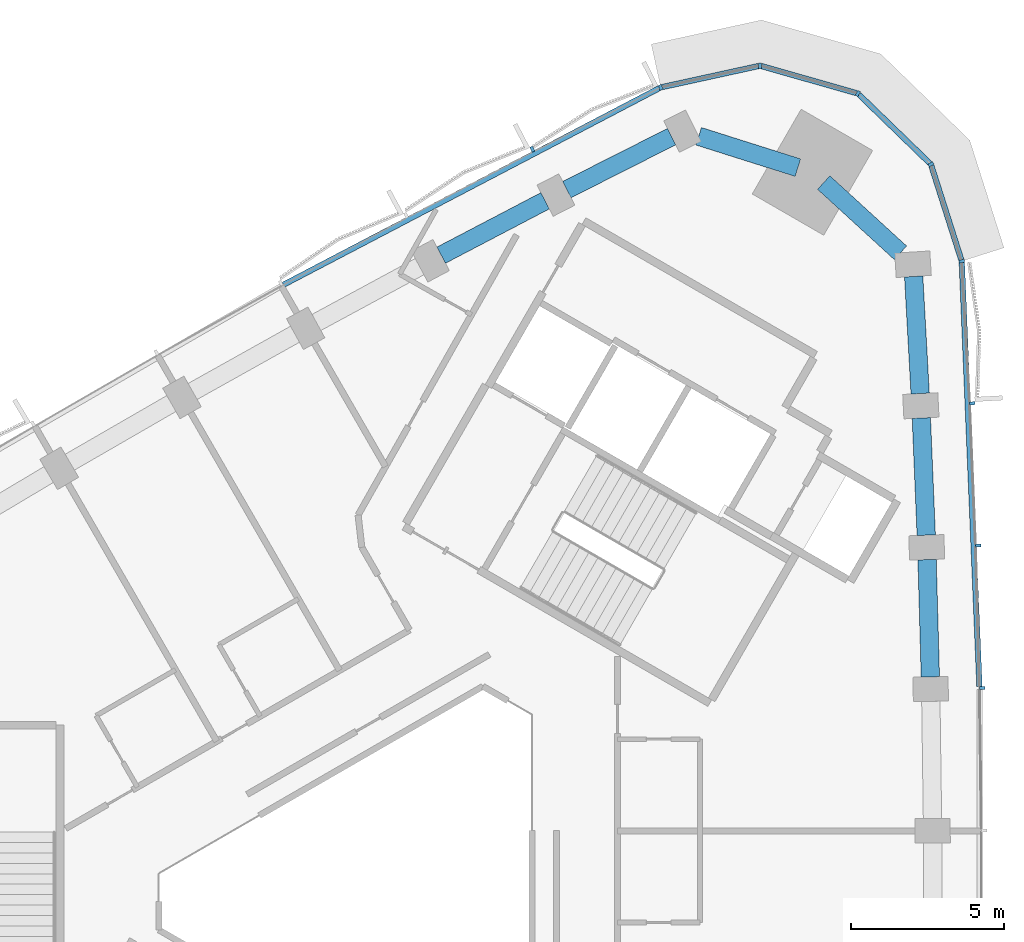
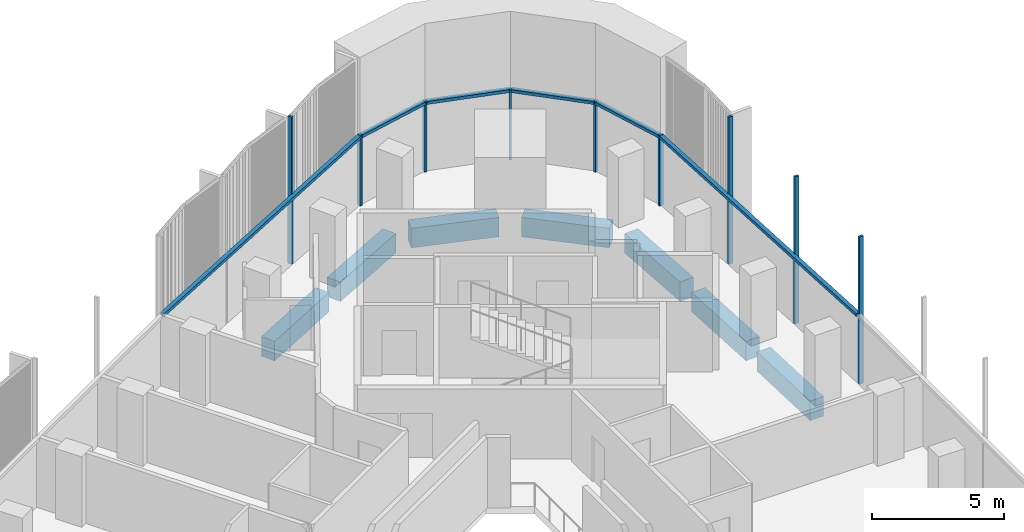
# One storey, part 5 of 13: 15 members, 7 beams, 2 elements without a shape of their own.
"""IFC4 building model written with IfcOpenShell, lengths in metres."""

import ifcopenshell
import ifcopenshell.guid

model = None  # the IFC model being written
_history = None  # IfcOwnerHistory: only IFC2X3 demands one
_inside = {}  # id of a spatial element -> (the spatial element, [elements in it])
_under = {}  # id of a project, library or spatial element -> (it, [spatial elements below it])
_declared = {}  # id of a project -> (the project, [libraries it declares])
_typed = {}  # id of a type object -> (the type object, [elements of that type])
_made_of = {}  # id of a material, layer set ... -> (it, [elements and type objects made of it])


def new_model(schema):
    """Start an empty IFC model of exactly this schema.

    Asked for "IFC4X3", IfcOpenShell would pick the latest addendum, in which some entities
    have other attributes; the version numbers below select the first issue.
    IFC2X3 requires an IfcOwnerHistory on every rooted entity: one is made here for all.
    """
    global model, _history
    if schema == "IFC4X3":
        model = ifcopenshell.file(schema_version=(4, 3, 0, 0))
    else:
        model = ifcopenshell.file(schema=schema)
    _inside.clear()
    _under.clear()
    _declared.clear()
    _typed.clear()
    _made_of.clear()
    _history = None
    if model.schema == "IFC2X3":
        org = make("IfcOrganization", Name="unknown")
        user = make(
            "IfcPersonAndOrganization",
            ThePerson=make("IfcPerson", FamilyName="unknown"),
            TheOrganization=org,
        )
        app = make(
            "IfcApplication",
            ApplicationDeveloper=org,
            Version="unknown",
            ApplicationFullName="unknown",
            ApplicationIdentifier="unknown",
        )
        _history = make(
            "IfcOwnerHistory",
            OwningUser=user,
            OwningApplication=app,
            ChangeAction="ADDED",
            CreationDate=0,
        )
    return model


def make(cls, **values):
    """One entity of the class cls with the attributes given. An attribute that is None is left unset."""
    return model.create_entity(
        cls, **{name: value for name, value in values.items() if value is not None}
    )


def rooted(cls, **values):
    """An entity with a GlobalId (a new one), such as an element, a storey or a relation."""
    return make(cls, GlobalId=ifcopenshell.guid.new(), OwnerHistory=_history, **values)


def si_unit(unit_type, name, prefix=None):
    """IfcSIUnit, for example si_unit("LENGTHUNIT", "METRE", prefix="MILLI")."""
    return make("IfcSIUnit", UnitType=unit_type, Prefix=prefix, Name=name)


def assignment(units):
    """IfcUnitAssignment: the units of a project."""
    return None if units is None else make("IfcUnitAssignment", Units=units)


def point(xyz):
    """IfcCartesianPoint."""
    return None if xyz is None else make("IfcCartesianPoint", Coordinates=xyz)


def direction(xyz):
    """IfcDirection."""
    return None if xyz is None else make("IfcDirection", DirectionRatios=xyz)


def frame(location, z_axis=None, x_axis=None):
    """IfcAxis2Placement3D, a coordinate frame: its origin and axes. An axis left out is left unset."""
    return make(
        "IfcAxis2Placement3D",
        Location=point(location),
        Axis=direction(z_axis),
        RefDirection=direction(x_axis),
    )


def frame_2d(location, x_axis=None):
    """IfcAxis2Placement2D, a coordinate frame in the plane: its origin and x axis."""
    return make(
        "IfcAxis2Placement2D", Location=point(location), RefDirection=direction(x_axis)
    )


def origin():
    """The frame at (0, 0, 0) with its axes left unset."""
    return frame((0.0, 0.0, 0.0))


def origin_2d():
    """The frame at (0, 0) in the plane with its x axis left unset."""
    return frame_2d((0.0, 0.0))


def place(relative_to, where):
    """IfcLocalPlacement: puts the frame where relative to a parent placement (None: the world)."""
    return make(
        "IfcLocalPlacement", PlacementRelTo=relative_to, RelativePlacement=where
    )


def context(
    kind, dimensions, precision=None, world=None, true_north=None, identifier=None
):
    """IfcGeometricRepresentationContext, for example the 3D "Model" context."""
    return make(
        "IfcGeometricRepresentationContext",
        ContextIdentifier=identifier,
        ContextType=kind,
        CoordinateSpaceDimension=dimensions,
        Precision=precision,
        WorldCoordinateSystem=world,
        TrueNorth=true_north,
    )


def subcontext(parent, identifier, kind, view, scale=None):
    """IfcGeometricRepresentationSubContext, for example "Body" below "Model"."""
    return make(
        "IfcGeometricRepresentationSubContext",
        ContextIdentifier=identifier,
        ContextType=kind,
        ParentContext=parent,
        TargetScale=scale,
        TargetView=view,
    )


def project(units=None, contexts=None):
    """IfcProject with its units and contexts."""
    return rooted(
        "IfcProject",
        Name="project",
        RepresentationContexts=contexts,
        UnitsInContext=assignment(units),
    )


def spatial(cls, under=None, at=None, **own):
    """A site, building, storey or space (cls), placed at a placement, below another one or the project."""
    s = rooted(cls, ObjectPlacement=at, **own)
    if under is not None:
        _under.setdefault(under.id(), (under, []))[1].append(s)
    return s


def profile(cls, at=None, kind="AREA", **sizes):
    """A parametric profile (cls). Its sizes go by their IFC names, for example OverallWidth=200.0."""
    return make(cls, ProfileType=kind, Position=at, **sizes)


def rectangle(**sizes):
    """IfcRectangleProfileDef."""
    return profile("IfcRectangleProfileDef", **sizes)


def extrude(swept, where, along, depth):
    """IfcExtrudedAreaSolid: the profile swept, set in the frame where, extruded along a direction by depth."""
    return make(
        "IfcExtrudedAreaSolid",
        SweptArea=swept,
        Position=where,
        ExtrudedDirection=direction(along),
        Depth=depth,
    )


def shape(context_of_items, identifier, shape_type, items):
    """IfcShapeRepresentation: the items that make up one representation, for example the "Body"."""
    return make(
        "IfcShapeRepresentation",
        ContextOfItems=context_of_items,
        RepresentationIdentifier=identifier,
        RepresentationType=shape_type,
        Items=items,
    )


def material(Name=None, Category=None):
    """IfcMaterial."""
    return make("IfcMaterial", Name=Name, Category=Category)


def material_profile(
    of_material, cross_section, Name=None, Category=None, Priority=None
):
    """IfcMaterialProfile: a cross section and its material."""
    return make(
        "IfcMaterialProfile",
        Name=Name,
        Material=of_material,
        Profile=cross_section,
        Priority=Priority,
        Category=Category,
    )


def profile_set(profiles, Name=None, composite=None):
    """IfcMaterialProfileSet."""
    return make(
        "IfcMaterialProfileSet",
        Name=Name,
        MaterialProfiles=profiles,
        CompositeProfile=composite,
    )


def made_of(thing, what):
    """Note that an element or type object is made of a material, layer set ...; save() writes the relation."""
    if what is not None:
        _made_of.setdefault(what.id(), (what, []))[1].append(thing)
    return thing


def type_object(cls, material=None, **own):
    """A type object (cls), such as IfcWallType, which elements share."""
    return made_of(rooted(cls, **own), material)


def element(
    cls,
    number,
    at=None,
    inside=None,
    cuts=None,
    type_object=None,
    material=None,
    context=None,
    identifier="Body",
    shape_type=None,
    held_by="IfcProductDefinitionShape",
    body=None,
    shapes=None,
    **own,
):
    """One element of the class cls, such as IfcWall. Its Tag is "e" and its number.

    at: its placement. inside: the storey or other place that contains it. cuts: it is an
    opening in that element (IfcRelVoidsElement). A single representation is given by context,
    identifier, shape_type and body (its items); several are given by shapes. held_by: the class
    of the entity that holds the representations. save() writes the other relations.
    """
    e = rooted(cls, Tag="e%d" % number, ObjectPlacement=at, **own)
    if body is not None:
        shapes = [shape(context, identifier, shape_type, body)]
    if shapes is not None:
        e.Representation = make(held_by, Representations=shapes)
    if inside is not None:
        _inside.setdefault(inside.id(), (inside, []))[1].append(e)
    if cuts is not None:
        rooted(
            "IfcRelVoidsElement", RelatingBuildingElement=cuts, RelatedOpeningElement=e
        )
    if type_object is not None:
        _typed.setdefault(type_object.id(), (type_object, []))[1].append(e)
    return made_of(e, material)


def aggregate(whole, parts):
    """IfcRelAggregates: a whole, such as a stair, and the parts it consists of."""
    return rooted("IfcRelAggregates", RelatingObject=whole, RelatedObjects=parts)


def save(model, path):
    """Write the relations noted so far, then the file.

    IfcRelAggregates (storeys below a building ...), IfcRelContainedInSpatialStructure (elements
    in a storey), IfcRelDefinesByType, IfcRelAssociatesMaterial and IfcRelDeclares: one each for
    every whole, place, type object, material and project.
    """
    for whole, parts in _under.values():
        aggregate(whole, parts)
    for where, things in _inside.values():
        rooted(
            "IfcRelContainedInSpatialStructure",
            RelatedElements=things,
            RelatingStructure=where,
        )
    for kind, things in _typed.values():
        rooted("IfcRelDefinesByType", RelatedObjects=things, RelatingType=kind)
    for what, things in _made_of.values():
        rooted("IfcRelAssociatesMaterial", RelatedObjects=things, RelatingMaterial=what)
    for by, libraries in _declared.values():
        rooted("IfcRelDeclares", RelatingContext=by, RelatedDefinitions=libraries)
    model.write(path)


model = new_model("IFC4")

# Units and contexts
model_context = context("Model", 3, precision=1e-05, world=origin(), true_north=direction((0.0, 1.0)))
body_context = subcontext(model_context, "Body", "Model", "MODEL_VIEW")
ifc_project = project(units=[si_unit("LENGTHUNIT", "METRE"), si_unit("AREAUNIT", "SQUARE_METRE"), si_unit("VOLUMEUNIT", "CUBIC_METRE"), si_unit("PLANEANGLEUNIT", "RADIAN"), si_unit("MASSUNIT", "GRAM", prefix="KILO")], contexts=[model_context])

# Site, building, storey
site_placement = place(None, origin())
site = spatial("IfcSite", under=ifc_project, at=site_placement, CompositionType="ELEMENT")
building_placement = place(site_placement, origin())
building = spatial("IfcBuilding", under=site, at=building_placement, Name="Tamra Quay Hotel Tower", CompositionType="ELEMENT")
storey_placement = place(building_placement, frame((0.0, 0.0, 204.39990234375)))
storey = spatial("IfcBuildingStorey", under=building, at=storey_placement, Name="L51", CompositionType="ELEMENT", Elevation=204.39990234375)

# Curtain wall, members
ifc_material_1 = material(Name="Aluminium 6063 anodised dark grey", Category="aluminium")
curtain_wall_type_1 = type_object("IfcCurtainWallType", Name="CW1 CURTAIN WALL", PredefinedType="NOTDEFINED", material=ifc_material_1)
curtain_wall_1_placement = place(storey_placement, origin())
curtain_wall_1 = element("IfcCurtainWall", 1, at=curtain_wall_1_placement, inside=storey, type_object=curtain_wall_type_1, Name="CW1 east face L51", PredefinedType="NOTDEFINED")
ifc_material_profile_1 = material_profile(ifc_material_1, rectangle(XDim=0.179931640625, YDim=0.10009765625, at=origin_2d()), Name="MULLION 100X180")
ifc_profile_set_1 = profile_set([ifc_material_profile_1], Name="Aluminium 6063 anodised dark grey")
member_type_1 = type_object("IfcMemberType", Name="MULLION CW1 Z4", PredefinedType="MULLION", material=ifc_profile_set_1)
member_1_placement = place(storey_placement, frame((19.336669921875, 6.991455078125, 0.0), z_axis=(0.0, 0.0, 1.0), x_axis=(0.999783233149, 0.020820343761, 0.0)))
member_1 = element("IfcMember", 2, at=member_1_placement, type_object=member_type_1, Name="CW1 mullion L51.E.7", PredefinedType="MULLION", context=body_context, shape_type="SweptSolid", body=[
    extrude(rectangle(XDim=0.179931640625, YDim=0.10009765625, at=origin_2d()), origin(), (0.0, 0.0, 1.0), 6.800048828125),
])
member_2_placement = place(storey_placement, frame((19.20751953125, 11.64990234375, 0.0), z_axis=(0.0, 0.0, 1.0), x_axis=(0.999398551389, 0.034677593353, 0.0)))
member_2 = element("IfcMember", 3, at=member_2_placement, type_object=member_type_1, Name="CW1 mullion L51.E.8", PredefinedType="MULLION", context=body_context, shape_type="SweptSolid", body=[
    extrude(rectangle(XDim=0.179931640625, YDim=0.10009765625, at=origin_2d()), origin(), (0.0, 0.0, 1.0), 6.800048828125),
])
member_3_placement = place(storey_placement, frame((19.013427734375, 16.30712890625, 0.0), z_axis=(0.0, 0.0, 1.0), x_axis=(0.998822718062, 0.048509564873, 0.0)))
member_3 = element("IfcMember", 4, at=member_3_placement, type_object=member_type_1, Name="CW1 mullion L51.E.9", PredefinedType="MULLION", context=body_context, shape_type="SweptSolid", body=[
    extrude(rectangle(XDim=0.179931640625, YDim=0.10009765625, at=origin_2d()), origin(), (0.0, 0.0, 1.0), 6.800048828125),
])
member_4_placement = place(storey_placement, frame((18.665283203125, 20.955078125, 0.0), z_axis=(0.0, 0.0, 1.0), x_axis=(0.983509429279, 0.180856856435, 0.0)))
member_4 = element("IfcMember", 5, at=member_4_placement, type_object=member_type_1, Name="CW1 mullion L51.E.10", PredefinedType="MULLION", context=body_context, shape_type="SweptSolid", body=[
    extrude(rectangle(XDim=0.179931640625, YDim=0.10009765625, at=origin_2d()), origin(), (0.0, 0.0, 1.0), 3.25),
])
member_5_placement = place(storey_placement, frame((17.65576171875, 24.1259765625, 0.0), z_axis=(0.0, 0.0, 1.0), x_axis=(0.85012217174, 0.526585504089, 0.0)))
member_5 = element("IfcMember", 6, at=member_5_placement, type_object=member_type_1, Name="CW1 mullion L51.E.11", PredefinedType="MULLION", context=body_context, shape_type="SweptSolid", body=[
    extrude(rectangle(XDim=0.179931640625, YDim=0.10009765625, at=origin_2d()), origin(), (0.0, 0.0, 1.0), 3.25),
])
member_6_placement = place(storey_placement, frame((15.2666015625, 26.4423828125, 0.0), z_axis=(0.0, 0.0, 1.0), x_axis=(0.5, 0.866025403784, 0.0)))
member_6 = element("IfcMember", 7, at=member_6_placement, type_object=member_type_1, Name="CW1 mullion L51.E.12", PredefinedType="MULLION", context=body_context, shape_type="SweptSolid", body=[
    extrude(rectangle(XDim=0.179931640625, YDim=0.10009765625, at=origin_2d()), origin(), (0.0, 0.0, 1.0), 3.25),
])
member_7_placement = place(storey_placement, frame((12.06591796875, 27.353271484375, 0.0), z_axis=(0.0, 0.0, 1.0), x_axis=(0.030975337936, 0.999520149091, 0.0)))
member_7 = element("IfcMember", 8, at=member_7_placement, type_object=member_type_1, Name="CW1 mullion L51.E.13", PredefinedType="MULLION", context=body_context, shape_type="SweptSolid", body=[
    extrude(rectangle(XDim=0.179931640625, YDim=0.10009765625, at=origin_2d()), origin(), (0.0, 0.0, 1.0), 3.25),
])

curtain_wall_type_2 = type_object("IfcCurtainWallType", Name="CW2 CURTAIN WALL", PredefinedType="NOTDEFINED", material=ifc_material_1)
curtain_wall_2_placement = place(storey_placement, origin())
curtain_wall_2 = element("IfcCurtainWall", 9, at=curtain_wall_2_placement, inside=storey, type_object=curtain_wall_type_2, Name="CW2 north-west face L51", PredefinedType="NOTDEFINED")
ifc_material_profile_2 = material_profile(ifc_material_1, rectangle(XDim=0.179931640625, YDim=0.10009765625, at=origin_2d()), Name="MULLION 100X180")
ifc_profile_set_2 = profile_set([ifc_material_profile_2], Name="Aluminium 6063 anodised dark grey")
member_type_2 = type_object("IfcMemberType", Name="MULLION CW2 Z4", PredefinedType="MULLION", material=ifc_profile_set_2)
member_8_placement = place(storey_placement, frame((8.81494140625, 26.642333984375, 0.0), z_axis=(0.0, 0.0, 1.0), x_axis=(-0.335128082518, 0.942172578834, 0.0)))
member_8 = element("IfcMember", 10, at=member_8_placement, type_object=member_type_2, Name="CW2 mullion L51.NW.1", PredefinedType="MULLION", context=body_context, shape_type="SweptSolid", body=[
    extrude(rectangle(XDim=0.179931640625, YDim=0.10009765625, at=origin_2d()), origin(), (0.0, 0.0, 1.0), 3.25),
])
member_9_placement = place(storey_placement, frame((4.61572265625, 24.61962890625, 0.0), z_axis=(0.0, 0.0, 1.0), x_axis=(-0.457400843524, 0.889260630155, 0.0)))
member_9 = element("IfcMember", 11, at=member_9_placement, type_object=member_type_2, Name="CW2 mullion L51.NW.2", PredefinedType="MULLION", context=body_context, shape_type="SweptSolid", body=[
    extrude(rectangle(XDim=0.179931640625, YDim=0.10009765625, at=origin_2d()), origin(), (0.0, 0.0, 1.0), 6.800048828125),
])

# Beams
ifc_material_2 = material(Name="Concrete M60", Category="concrete")
ifc_material_profile_3 = material_profile(ifc_material_2, rectangle(XDim=0.60009765625, YDim=0.89990234375, at=origin_2d()), Name="SPANDREL BEAM RC 600x900")
ifc_profile_set_3 = profile_set([ifc_material_profile_3], Name="Concrete M60")
beam_type = type_object("IfcBeamType", Name="SPANDREL BEAM RC 600x900", PredefinedType="SPANDREL", material=ifc_profile_set_3)
beam_1_placement = place(storey_placement, frame((17.636962890625, 7.355712890625, -0.7998046875), z_axis=(-0.02773528523, 0.999615302981, 0.0), x_axis=(-0.999615302981, -0.02773528523, 0.0)))
element("IfcBeam", 12, at=beam_1_placement, inside=storey, type_object=beam_type, Name="BM-SP4-006-L51", PredefinedType="SPANDREL", context=body_context, shape_type="SweptSolid", body=[
    extrude(rectangle(XDim=0.60009765625, YDim=0.89990234375, at=origin_2d()), origin(), (0.0, 0.0, 1.0), 3.837890625),
])
beam_2_placement = place(storey_placement, frame((17.502685546875, 11.99169921875, -0.7998046875), z_axis=(-0.041609373826, 0.999133954988, 0.0), x_axis=(-0.999133954988, -0.041609373826, 0.0)))
element("IfcBeam", 13, at=beam_2_placement, inside=storey, type_object=beam_type, Name="BM-SP4-007-L51", PredefinedType="SPANDREL", context=body_context, shape_type="SweptSolid", body=[
    extrude(rectangle(XDim=0.60009765625, YDim=0.89990234375, at=origin_2d()), origin(), (0.0, 0.0, 1.0), 3.83740234375),
])
beam_3_placement = place(storey_placement, frame((17.30419921875, 16.625, -0.7998046875), z_axis=(-0.055346700292, 0.99846719664, 0.0), x_axis=(-0.99846719664, -0.055346700292, 0.0)))
element("IfcBeam", 14, at=beam_3_placement, inside=storey, type_object=beam_type, Name="BM-SP4-008-L51", PredefinedType="SPANDREL", context=body_context, shape_type="SweptSolid", body=[
    extrude(rectangle(XDim=0.60009765625, YDim=0.89990234375, at=origin_2d()), origin(), (0.0, 0.0, 1.0), 3.837646484375),
])
beam_4_placement = place(storey_placement, frame((16.659423828125, 21.2314453125, -0.7998046875), z_axis=(-0.737716497183, 0.675110635218, 0.0), x_axis=(-0.675110635218, -0.737716497183, 0.0)))
element("IfcBeam", 15, at=beam_4_placement, inside=storey, type_object=beam_type, Name="BM-SP4-009-L51", PredefinedType="SPANDREL", context=body_context, shape_type="SweptSolid", body=[
    extrude(rectangle(XDim=0.60009765625, YDim=0.89990234375, at=origin_2d()), origin(), (0.0, 0.0, 1.0), 3.404296875),
])
beam_5_placement = place(storey_placement, frame((13.302978515625, 24.017333984375, -0.7998046875), z_axis=(-0.953502415748, 0.301385373174, 0.0), x_axis=(-0.301385373174, -0.953502415748, 0.0)))
element("IfcBeam", 16, at=beam_5_placement, inside=storey, type_object=beam_type, Name="BM-SP4-010-L51", PredefinedType="SPANDREL", context=body_context, shape_type="SweptSolid", body=[
    extrude(rectangle(XDim=0.60009765625, YDim=0.89990234375, at=origin_2d()), origin(), (0.0, 0.0, 1.0), 3.40380859375),
])
beam_6_placement = place(storey_placement, frame((9.170166015625, 25.030029296875, -0.7998046875), z_axis=(-0.892407883039, -0.451229620359, 0.0), x_axis=(0.451229620359, -0.892407883039, 0.0)))
element("IfcBeam", 17, at=beam_6_placement, inside=storey, type_object=beam_type, Name="BM-SP4-011-L51", PredefinedType="SPANDREL", context=body_context, shape_type="SweptSolid", body=[
    extrude(rectangle(XDim=0.60009765625, YDim=0.89990234375, at=origin_2d()), origin(), (0.0, 0.0, 1.0), 3.837646484375),
])
beam_7_placement = place(storey_placement, frame((5.033935546875, 22.9326171875, -0.7998046875), z_axis=(-0.886043134182, -0.463602808845, 0.0), x_axis=(0.463602808845, -0.886043134182, 0.0)))
element("IfcBeam", 18, at=beam_7_placement, inside=storey, type_object=beam_type, Name="BM-SP4-012-L51", PredefinedType="SPANDREL", context=body_context, shape_type="SweptSolid", body=[
    extrude(rectangle(XDim=0.60009765625, YDim=0.89990234375, at=origin_2d()), origin(), (0.0, 0.0, 1.0), 3.83740234375),
])

# Member
ifc_material_profile_4 = material_profile(ifc_material_1, rectangle(XDim=0.179931640625, YDim=0.139892578125, at=origin_2d()), Name="TRANSOM 180X140")
ifc_profile_set_4 = profile_set([ifc_material_profile_4], Name="Aluminium 6063 anodised dark grey")
member_type_3 = type_object("IfcMemberType", Name="TRANSOM CW1 Z4", PredefinedType="USERDEFINED", material=ifc_profile_set_4)
member_10_placement = place(storey_placement, frame((19.245361328125, 7.03955078125, 3.18017578125), z_axis=(-0.041588103727, 0.999134840564, 0.0), x_axis=(-0.999134840564, -0.041588103727, 0.0)))
member_10 = element("IfcMember", 19, at=member_10_placement, type_object=member_type_3, Name="CW1 transom L51.E.7", ObjectType="TRANSOM", PredefinedType="USERDEFINED", context=body_context, shape_type="SweptSolid", body=[
    extrude(rectangle(XDim=0.179931640625, YDim=0.139892578125, at=origin_2d()), origin(), (0.0, 0.0, 1.0), 13.877685546875),
])

member_11_placement = place(storey_placement, frame((18.650146484375, 21.002685546875, 3.18017578125), z_axis=(-0.303378482034, 0.952870136293, 0.0), x_axis=(-0.952870136293, -0.303378482034, 0.0)))
member_11 = element("IfcMember", 20, at=member_11_placement, type_object=member_type_3, Name="CW1 transom L51.E.10", ObjectType="TRANSOM", PredefinedType="USERDEFINED", context=body_context, shape_type="SweptSolid", body=[
    extrude(rectangle(XDim=0.179931640625, YDim=0.139892578125, at=origin_2d()), origin(), (0.0, 0.0, 1.0), 3.227783203125),
])

member_12_placement = place(storey_placement, frame((17.619873046875, 24.160888671875, 3.18017578125), z_axis=(-0.717989739808, 0.696053685811, 0.0), x_axis=(-0.696053685811, -0.717989739808, 0.0)))
member_12 = element("IfcMember", 21, at=member_12_placement, type_object=member_type_3, Name="CW1 transom L51.E.11", ObjectType="TRANSOM", PredefinedType="USERDEFINED", context=body_context, shape_type="SweptSolid", body=[
    extrude(rectangle(XDim=0.179931640625, YDim=0.139892578125, at=origin_2d()), origin(), (0.0, 0.0, 1.0), 3.2275390625),
])

member_13_placement = place(storey_placement, frame((15.218505859375, 26.4560546875, 3.18017578125), z_axis=(-0.961806009168, 0.273731987038, 0.0), x_axis=(-0.273731987038, -0.961806009168, 0.0)))
member_13 = element("IfcMember", 22, at=member_13_placement, type_object=member_type_3, Name="CW1 transom L51.E.12", ObjectType="TRANSOM", PredefinedType="USERDEFINED", context=body_context, shape_type="SweptSolid", body=[
    extrude(rectangle(XDim=0.179931640625, YDim=0.139892578125, at=origin_2d()), origin(), (0.0, 0.0, 1.0), 3.227783203125),
])

member_14_placement = place(storey_placement, frame((12.01708984375, 27.342529296875, 3.18017578125), z_axis=(-0.976905938147, -0.21366981072, 0.0), x_axis=(0.21366981072, -0.976905938147, 0.0)))
member_14 = element("IfcMember", 23, at=member_14_placement, type_object=member_type_3, Name="CW1 transom L51.E.13", ObjectType="TRANSOM", PredefinedType="USERDEFINED", context=body_context, shape_type="SweptSolid", body=[
    extrude(rectangle(XDim=0.179931640625, YDim=0.139892578125, at=origin_2d()), origin(), (0.0, 0.0, 1.0), 3.227783203125),
])

aggregate(curtain_wall_1, [member_1, member_10, member_2, member_3, member_4, member_11, member_5, member_12, member_6, member_13, member_7, member_14])

ifc_material_profile_5 = material_profile(ifc_material_1, rectangle(XDim=0.179931640625, YDim=0.139892578125, at=origin_2d()), Name="TRANSOM 180X140")
ifc_profile_set_5 = profile_set([ifc_material_profile_5], Name="Aluminium 6063 anodised dark grey")
member_type_4 = type_object("IfcMemberType", Name="TRANSOM CW2 Z4", PredefinedType="USERDEFINED", material=ifc_profile_set_5)
member_15_placement = place(storey_placement, frame((8.770263671875, 26.61962890625, 3.18017578125), z_axis=(-0.886075202027, -0.463541515242, 0.0), x_axis=(0.463541515242, -0.886075202027, 0.0)))
member_15 = element("IfcMember", 24, at=member_15_placement, type_object=member_type_4, Name="CW2 transom L51.NW.1", ObjectType="TRANSOM", PredefinedType="USERDEFINED", context=body_context, shape_type="SweptSolid", body=[
    extrude(rectangle(XDim=0.179931640625, YDim=0.139892578125, at=origin_2d()), origin(), (0.0, 0.0, 1.0), 13.877685546875),
])

aggregate(curtain_wall_2, [member_8, member_15, member_9])

save(model, "model.ifc")
